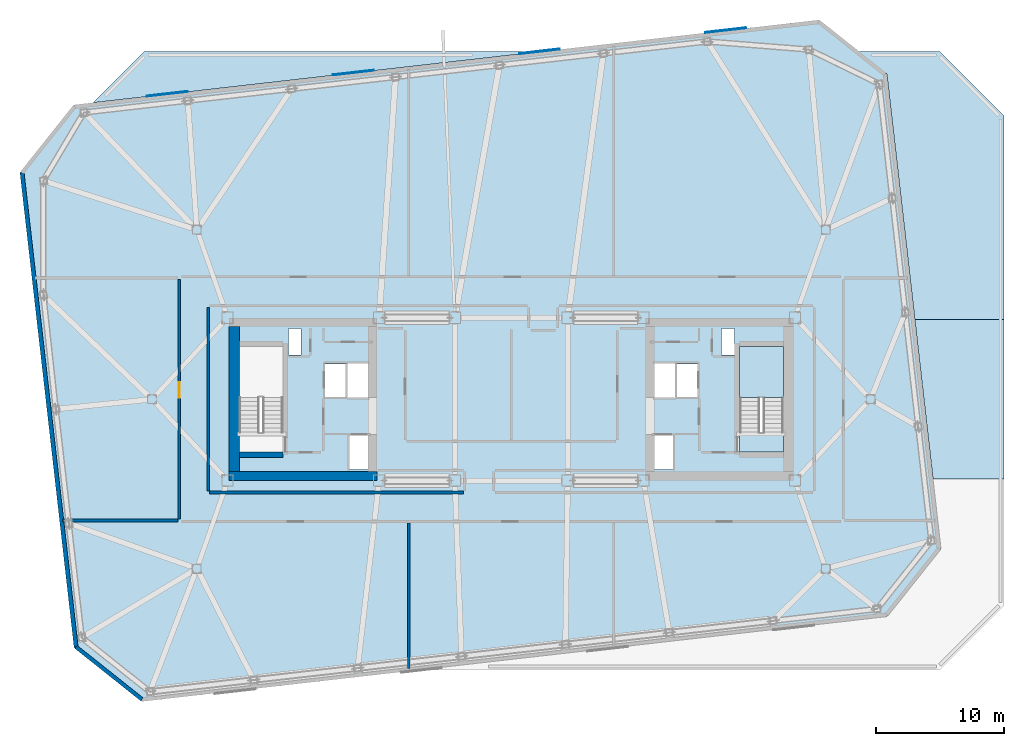
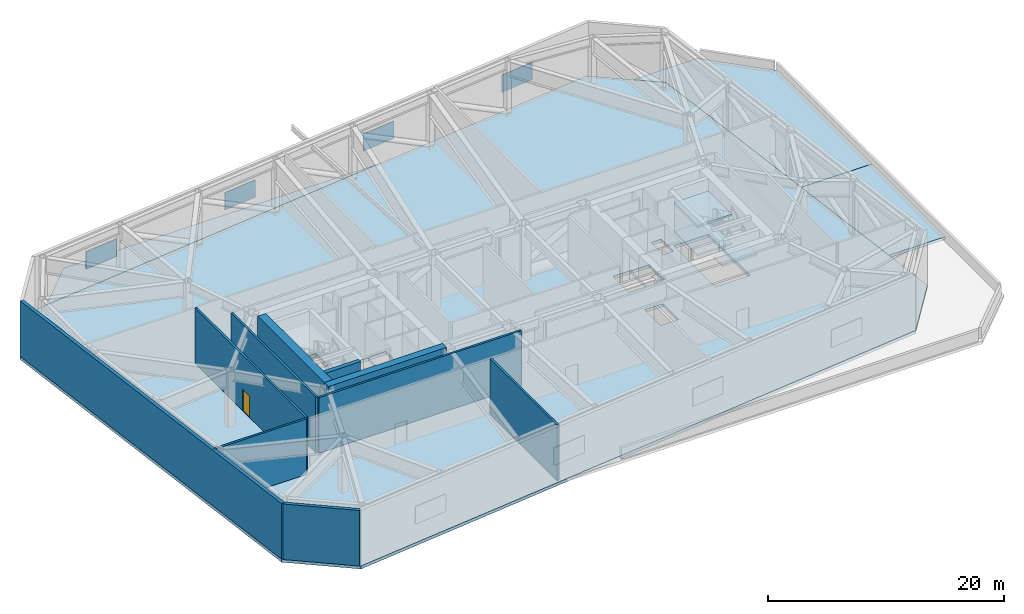
# One storey, part 5 of 13: 10 walls, 7 slabs, 4 plates, 1 door, 1 opening, 1 element without a shape of its own.
"""IFC4 building model written with IfcOpenShell, lengths in metres."""

from ifc_helpers import new_model, si_unit, direction, frame, frame_2d, origin, origin_2d, place, context, subcontext, project, spatial, polyline, rectangle, outline, extrude, material, layer, layer_set, type_object, element, fill, aggregate, save


model = new_model("IFC4")

# Units and contexts
model_context = context("Model", 3, precision=1e-05, world=origin(), true_north=direction((0.0, 1.0)))
body_context = subcontext(model_context, "Body", "Model", "MODEL_VIEW")
ifc_project = project(units=[si_unit("LENGTHUNIT", "METRE"), si_unit("AREAUNIT", "SQUARE_METRE"), si_unit("VOLUMEUNIT", "CUBIC_METRE"), si_unit("PLANEANGLEUNIT", "RADIAN"), si_unit("MASSUNIT", "GRAM", prefix="KILO")], contexts=[model_context])

# Site, building, storey
site_placement = place(None, origin())
site = spatial("IfcSite", under=ifc_project, at=site_placement, CompositionType="ELEMENT")
building_placement = place(site_placement, origin())
building = spatial("IfcBuilding", under=site, at=building_placement, Name="Tavrogorsk Clinical Tower", CompositionType="ELEMENT")
storey_placement = place(building_placement, frame((0.0, 0.0, 208.199951171875)))
storey = spatial("IfcBuildingStorey", under=building, at=storey_placement, Name="L48", CompositionType="ELEMENT", Elevation=208.199951171875)

# Plates
ifc_material_1 = material(Name="Powder-coated aluminium acoustic louvre", Category="aluminium")
ifc_layer_1 = layer(ifc_material_1, 0.074951171875)
ifc_layer_set_1 = layer_set([ifc_layer_1], Name="Powder-coated aluminium acoustic louvre")
plate_type = type_object("IfcPlateType", Name="AcousticPlantLouvre_75", PredefinedType="SHEET", material=ifc_layer_set_1)
for number, where, z_axis, x_axis, name in (
    (1, (16.706787109375, 28.758544921875, 1.97021484375), (0.0, 0.0, 1.0), (-0.993571986827, -0.113202062666, 0.0), "L48 Plant Acoustic Louvre N-1-1"),
    (2, (2.20068359375, 27.105712890625, 1.97021484375), (0.0, 0.0, 1.0), (-0.993571986827, -0.113202062666, 0.0), "L48 Plant Acoustic Louvre N-1-2"),
    (3, (-12.305419921875, 25.452880859375, 1.97021484375), (0.0, 0.0, 1.0), (-0.993571986827, -0.113202062666, 0.0), "L48 Plant Acoustic Louvre N-1-3"),
    (4, (-26.8115234375, 23.80029296875, 1.97021484375), (0.0, 0.0, 1.0), (-0.993571986827, -0.113202062666, 0.0), "L48 Plant Acoustic Louvre N-1-4"),
):
    element("IfcPlate", number, at=place(storey_placement, frame(where, z_axis=z_axis, x_axis=x_axis)), inside=storey, type_object=plate_type, Name=name, PredefinedType="SHEET", context=body_context, shape_type="SweptSolid", body=[
        extrude(rectangle(XDim=3.199951171875, YDim=0.074951171875, at=origin_2d()), origin(), (0.0, 0.0, 1.0), 1.800048828125),
    ])

# Slabs
ifc_material_2 = material(Name="Concrete B60", Category="concrete")
ifc_layer_2 = layer(ifc_material_2, 0.300048828125)
ifc_layer_set_2 = layer_set([ifc_layer_2], Name="Concrete B60")
slab_type_1 = type_object("IfcSlabType", Name="CrownTopRoofSlab_300", PredefinedType="ROOF", material=ifc_layer_set_2)
slab_1_placement = place(storey_placement, frame((0.0, 0.0, -0.300048828125)))
element("IfcSlab", 5, at=slab_1_placement, inside=storey, type_object=slab_type_1, Name="L48 Setback Roof Slab 2", PredefinedType="ROOF", context=body_context, shape_type="SweptSolid", body=[
    extrude(outline(polyline([(38.39990234375, 22.10009765625), (38.39990234375, 6.199951171875), (31.455322265625, 6.199951171875), (29.27587890625, 25.329345703125), (27.0498046875, 27.10009765625), (33.39990234375, 27.10009765625), (38.39990234375, 22.10009765625)])), origin(), (0.0, 0.0, 1.0), 0.300048828125),
])
slab_2_placement = place(storey_placement, frame((0.0, 0.0, -0.300048828125)))
element("IfcSlab", 6, at=slab_2_placement, inside=storey, type_object=slab_type_1, Name="L48 Setback Roof Slab 3", PredefinedType="ROOF", context=body_context, shape_type="SweptSolid", body=[
    extrude(outline(polyline([(2.4150390625, 27.10009765625), (-32.588134765625, 23.11181640625), (-28.60009765625, 27.10009765625), (2.4150390625, 27.10009765625)])), origin(), (0.0, 0.0, 1.0), 0.300048828125),
])
slab_3_placement = place(storey_placement, frame((0.0, 0.0, -0.300048828125)))
element("IfcSlab", 7, at=slab_3_placement, inside=storey, type_object=slab_type_1, Name="L48 Setback Roof Slab 4", PredefinedType="ROOF", context=body_context, shape_type="SweptSolid", body=[
    extrude(outline(polyline([(38.39990234375, -6.199951171875), (32.8681640625, -6.199951171875), (31.455322265625, 6.199951171875), (38.39990234375, 6.199951171875), (38.39990234375, -6.199951171875)])), origin(), (0.0, 0.0, 1.0), 0.300048828125),
])
ifc_material_3 = material(Name="Concrete B60", Category="concrete")
ifc_layer_3 = layer(ifc_material_3, 0.320068359375)
ifc_layer_set_3 = layer_set([ifc_layer_3], Name="Concrete B60")
slab_type_2 = type_object("IfcSlabType", Name="PlantRefugeSlab_320", PredefinedType="FLOOR", material=ifc_layer_set_3)
slab_4_placement = place(storey_placement, frame((0.0, 0.0, -0.320068359375)))
element("IfcSlab", 8, at=slab_4_placement, inside=storey, type_object=slab_type_2, Name="L48 Structural Slab", PredefinedType="FLOOR", context=body_context, shape_type="SweptSolid", body=[
    extrude(outline(polyline([(-28.76318359375, -23.55517578125), (29.26123046875, -16.944091796875), (33.487060546875, -11.631591796875), (29.27587890625, 25.329345703125), (23.96337890625, 29.55517578125), (-34.061279296875, 22.944091796875), (-38.287109375, 17.631591796875), (-34.075927734375, -19.329345703125), (-28.76318359375, -23.55517578125)]), holes=[polyline([(-17.800048828125, -2.8798828125), (-17.800048828125, 4.125), (-21.199951171875, 4.125), (-21.199951171875, -2.8798828125), (-17.800048828125, -2.8798828125)]), polyline([(21.199951171875, -2.8798828125), (21.199951171875, 4.125), (17.800048828125, 4.125), (17.800048828125, -2.8798828125), (21.199951171875, -2.8798828125)]), polyline([(-14.6201171875, 0.169921875), (-12.860107421875, 0.169921875), (-12.860107421875, 2.72998046875), (-14.6201171875, 2.72998046875), (-14.6201171875, 0.169921875)]), polyline([(-12.72998046875, -5.47998046875), (-10.969970703125, -5.47998046875), (-10.969970703125, -2.820068359375), (-12.72998046875, -2.820068359375), (-12.72998046875, -5.47998046875)]), polyline([(-12.840087890625, 0.1201171875), (-11.080078125, 0.1201171875), (-11.080078125, 2.780029296875), (-12.840087890625, 2.780029296875), (-12.840087890625, 0.1201171875)]), polyline([(12.860107421875, 0.169921875), (14.6201171875, 0.169921875), (14.6201171875, 2.72998046875), (12.860107421875, 2.72998046875), (12.860107421875, 0.169921875)]), polyline([(10.969970703125, -5.47998046875), (12.72998046875, -5.47998046875), (12.72998046875, -2.820068359375), (10.969970703125, -2.820068359375), (10.969970703125, -5.47998046875)]), polyline([(11.080078125, 0.1201171875), (12.840087890625, 0.1201171875), (12.840087890625, 2.780029296875), (11.080078125, 2.780029296875), (11.080078125, 0.1201171875)]), polyline([(-17.3798828125, 3.449951171875), (-16.3798828125, 3.449951171875), (-16.3798828125, 5.5), (-17.3798828125, 5.5), (-17.3798828125, 3.449951171875)]), polyline([(16.3798828125, 3.449951171875), (17.3798828125, 3.449951171875), (17.3798828125, 5.5), (16.3798828125, 5.5), (16.3798828125, 3.449951171875)])]), origin(), (0.0, 0.0, 1.0), 0.320068359375),
])

# Stair, slabs
ifc_material_4 = material(Name="Concrete B60", Category="concrete")
stair_type = type_object("IfcStairType", Name="CoreStairAssembly", PredefinedType="HALF_TURN_STAIR", material=ifc_material_4)
stair_placement = place(storey_placement, origin())
stair = element("IfcStair", 9, at=stair_placement, inside=storey, type_object=stair_type, Name="L48 ST-E", PredefinedType="HALF_TURN_STAIR")
ifc_material_5 = material(Name="Concrete B60", Category="concrete")
ifc_layer_4 = layer(ifc_material_5, 0.199951171875)
ifc_layer_set_4 = layer_set([ifc_layer_4], Name="Concrete B60")
slab_type_3 = type_object("IfcSlabType", Name="StairLanding_200", PredefinedType="LANDING", material=ifc_layer_set_4)
slab_5_placement = place(storey_placement, frame((0.0, 0.0, 1.300048828125)))
slab_5 = element("IfcSlab", 10, at=slab_5_placement, type_object=slab_type_3, Name="ST-E landing 1", PredefinedType="LANDING", context=body_context, shape_type="SweptSolid", body=[
    extrude(outline(polyline([(21.199951171875, 0.14501953125), (21.199951171875, 4.125), (17.800048828125, 4.125), (17.800048828125, 0.14501953125), (21.199951171875, 0.14501953125)])), origin(), (0.0, 0.0, 1.0), 0.199951171875),
])
slab_6_placement = place(storey_placement, frame((0.0, 0.0, 2.800048828125)))
slab_6 = element("IfcSlab", 11, at=slab_6_placement, type_object=slab_type_3, Name="ST-E landing 2", PredefinedType="LANDING", context=body_context, shape_type="SweptSolid", body=[
    extrude(outline(polyline([(21.199951171875, -4.125), (21.199951171875, -2.574951171875), (17.800048828125, -2.574951171875), (17.800048828125, -4.125), (21.199951171875, -4.125)])), origin(), (0.0, 0.0, 1.0), 0.199951171875),
])
slab_7_placement = place(storey_placement, frame((0.0, 0.0, 4.300048828125)))
slab_7 = element("IfcSlab", 12, at=slab_7_placement, type_object=slab_type_3, Name="ST-E landing 3", PredefinedType="LANDING", context=body_context, shape_type="SweptSolid", body=[
    extrude(outline(polyline([(21.199951171875, 0.14501953125), (21.199951171875, 4.125), (17.800048828125, 4.125), (17.800048828125, 0.14501953125), (21.199951171875, 0.14501953125)])), origin(), (0.0, 0.0, 1.0), 0.199951171875),
])
aggregate(stair, [slab_5, slab_6, slab_7])

# Wall, opening, door
ifc_material_6 = material(Name="Concrete B60", Category="concrete")
ifc_layer_5 = layer(ifc_material_6, 0.199951171875)
ifc_layer_set_5 = layer_set([ifc_layer_5], Name="Concrete B60")
wall_type_1 = type_object("IfcWallType", Name="CoreFireWall_200", PredefinedType="SOLIDWALL", material=ifc_layer_set_5)
wall_1_placement = place(storey_placement, frame((-25.8798828125, -9.344970703125, 0.0), z_axis=(0.0, 0.0, 1.0), x_axis=(0.0, 1.0, 0.0)))
wall_1 = element("IfcWall", 13, at=wall_1_placement, inside=storey, type_object=wall_type_1, Name="L48 Refuge Corridor Fire Wall 01", PredefinedType="SOLIDWALL", context=body_context, shape_type="SweptSolid", body=[
    extrude(rectangle(XDim=18.68994140625, YDim=0.199951171875, at=frame_2d((9.344970703125, 0.0))), origin(), (0.0, 0.0, 1.0), 5.739990234375),
])
opening_placement = place(wall_1_placement, frame((9.449951171875, 0.0, 0.0)))
opening = element("IfcOpeningElement", 14, at=opening_placement, cuts=wall_1, Name="Opening FD-01", PredefinedType="OPENING", context=body_context, shape_type="SweptSolid", body=[
    extrude(rectangle(XDim=1.199951171875, YDim=2.199951171875, at=frame_2d((0.60009765625, 1.10009765625))), frame((0.0, 0.10986328125, 0.0), z_axis=(0.0, -1.0, 0.0), x_axis=(1.0, 0.0, 0.0)), (0.0, 0.0, 1.0), 0.219970703125),
])
ifc_material_7 = material(Name="Galvanised steel fire-rated door assembly", Category="steel")
door_type = type_object("IfcDoorType", Name="FireDoor_FD01_1200", OperationType="NOTDEFINED", PredefinedType="DOOR", material=ifc_material_7)
door_placement = place(opening_placement, origin())
door = element("IfcDoor", 15, at=door_placement, inside=storey, type_object=door_type, Name="L48 Smoke Extract & Damper Plenum West Fire Door", OperationType="SINGLE_SWING_LEFT", OverallHeight=2.199951171875, OverallWidth=1.199951171875, PredefinedType="DOOR", context=body_context, shape_type="SweptSolid", body=[
    extrude(rectangle(XDim=1.199951171875, YDim=2.199951171875, at=frame_2d((0.60009765625, 1.10009765625))), frame((0.0, 0.02490234375, 0.0), z_axis=(0.0, -1.0, 0.0), x_axis=(1.0, 0.0, 0.0)), (0.0, 0.0, 1.0), 0.050048828125),
])
fill(opening, door)

# Walls
wall_2_placement = place(storey_placement, frame((-23.6201171875, 7.1650390625, 0.0), z_axis=(0.0, 0.0, 1.0), x_axis=(0.0, -1.0, 0.0)))
element("IfcWall", 16, at=wall_2_placement, inside=storey, type_object=wall_type_1, Name="L48 Refuge Corridor Fire Wall 21", PredefinedType="SOLIDWALL", context=body_context, shape_type="SweptSolid", body=[
    extrude(rectangle(XDim=14.330078125, YDim=0.199951171875, at=frame_2d((7.1650390625, 0.0))), origin(), (0.0, 0.0, 1.0), 5.739990234375),
])
wall_3_placement = place(storey_placement, frame((-23.514892578125, -7.27001953125, 0.0), z_axis=(0.0, 0.0, 1.0), x_axis=(1.0, 0.0, 0.0)))
element("IfcWall", 17, at=wall_3_placement, inside=storey, type_object=wall_type_1, Name="L48 Refuge Corridor Fire Wall 22", PredefinedType="SOLIDWALL", context=body_context, shape_type="SweptSolid", body=[
    extrude(rectangle(XDim=19.77978515625, YDim=0.199951171875, at=frame_2d((9.889892578125, 0.0))), origin(), (0.0, 0.0, 1.0), 5.739990234375),
])
wall_4_placement = place(storey_placement, frame((-34.97998046875, -9.449951171875, 0.0), z_axis=(0.0, 0.0, 1.0), x_axis=(1.0, 0.0, 0.0)))
element("IfcWall", 18, at=wall_4_placement, inside=storey, type_object=wall_type_1, Name="L48 Refuge & Plant Fire Wall 1", PredefinedType="SOLIDWALL", context=body_context, shape_type="SweptSolid", body=[
    extrude(rectangle(XDim=8.994873046875, YDim=0.199951171875, at=frame_2d((4.49755859375, 0.0))), origin(), (0.0, 0.0, 1.0), 5.739990234375),
])
wall_5_placement = place(storey_placement, frame((-8.0, -20.968017578125, 0.0), z_axis=(0.0, 0.0, 1.0), x_axis=(0.0, 1.0, 0.0)))
element("IfcWall", 19, at=wall_5_placement, inside=storey, type_object=wall_type_1, Name="L48 Refuge & Plant Fire Wall 5", PredefinedType="SOLIDWALL", context=body_context, shape_type="SweptSolid", body=[
    extrude(rectangle(XDim=11.3330078125, YDim=0.199951171875, at=frame_2d((5.66650390625, 0.0))), origin(), (0.0, 0.0, 1.0), 5.739990234375),
])
ifc_material_8 = material(Name="Precast concrete B45 acoustic plenum wall", Category="concrete")
ifc_layer_6 = layer(ifc_material_8, 0.320068359375)
ifc_layer_set_6 = layer_set([ifc_layer_6], Name="Precast concrete B45 acoustic plenum wall")
wall_type_2 = type_object("IfcWallType", Name="PlantLouvreWall_320", PredefinedType="STANDARD", material=ifc_layer_set_6)
wall_6_placement = place(storey_placement, frame((-38.1279296875, 17.649658203125, 0.0), z_axis=(0.0, 0.0, 1.0), x_axis=(0.113197126198, -0.993572549249, 0.0)))
element("IfcWall", 20, at=wall_6_placement, inside=storey, type_object=wall_type_2, Name="L48 W Pleated Limestone Wing Wall", PredefinedType="STANDARD", context=body_context, shape_type="SweptSolid", body=[
    extrude(rectangle(XDim=37.199951171875, YDim=0.320068359375, at=frame_2d((18.60009765625, 0.0))), origin(), (0.0, 0.0, 1.0), 5.739990234375),
])
ifc_material_9 = material(Name="Concrete B80", Category="concrete")
ifc_layer_7 = layer(ifc_material_9, 0.39990234375)
ifc_layer_set_7 = layer_set([ifc_layer_7], Name="Concrete B80")
wall_type_3 = type_object("IfcWallType", Name="ShearWall_400", PredefinedType="SHEAR", material=ifc_layer_set_7)
wall_7_placement = place(storey_placement, frame((-21.199951171875, -4.324951171875, 0.0), z_axis=(0.0, 0.0, 1.0), x_axis=(1.0, 0.0, 0.0)))
element("IfcWall", 21, at=wall_7_placement, inside=storey, type_object=wall_type_3, Name="L48 Core West Stair Shaft South Shear Wall", PredefinedType="SHEAR", context=body_context, shape_type="SweptSolid", body=[
    extrude(rectangle(XDim=3.39990234375, YDim=0.39990234375, at=frame_2d((1.699951171875, 0.0))), origin(), (0.0, 0.0, 1.0), 5.739990234375),
])
ifc_material_10 = material(Name="Concrete B80", Category="concrete")
ifc_layer_8 = layer(ifc_material_10, 0.699951171875)
ifc_layer_set_8 = layer_set([ifc_layer_8], Name="Concrete B80")
wall_type_4 = type_object("IfcWallType", Name="ShearWall_700", PredefinedType="SHEAR", material=ifc_layer_set_8)
wall_8_placement = place(storey_placement, frame((-22.0, -6.0, 0.0), z_axis=(0.0, 0.0, 1.0), x_axis=(1.0, 0.0, 0.0)))
element("IfcWall", 22, at=wall_8_placement, inside=storey, type_object=wall_type_4, Name="L48 Core West South Shear Wall", PredefinedType="SHEAR", context=body_context, shape_type="SweptSolid", body=[
    extrude(rectangle(XDim=11.550048828125, YDim=0.699951171875, at=frame_2d((5.77490234375, 0.0))), origin(), (0.0, 0.0, 1.0), 5.739990234375),
])
ifc_material_11 = material(Name="Concrete B80", Category="concrete")
ifc_layer_9 = layer(ifc_material_11, 0.800048828125)
ifc_layer_set_9 = layer_set([ifc_layer_9], Name="Concrete B80")
wall_type_5 = type_object("IfcWallType", Name="ShearWall_800", PredefinedType="SHEAR", material=ifc_layer_set_9)
wall_9_placement = place(storey_placement, frame((-21.60009765625, -5.64990234375, 0.0), z_axis=(0.0, 0.0, 1.0), x_axis=(0.0, 1.0, 0.0)))
element("IfcWall", 23, at=wall_9_placement, inside=storey, type_object=wall_type_5, Name="L48 Core West End Shear Wall", PredefinedType="SHEAR", context=body_context, shape_type="SweptSolid", body=[
    extrude(rectangle(XDim=11.2998046875, YDim=0.800048828125, at=frame_2d((5.64990234375, 0.0))), origin(), (0.0, 0.0, 1.0), 5.739990234375),
])
ifc_material_12 = material(Name="Precast concrete B45 with mineral wool", Category="concrete")
ifc_layer_10 = layer(ifc_material_12, 0.300048828125)
ifc_layer_set_10 = layer_set([ifc_layer_10], Name="Precast concrete B45 with mineral wool")
wall_type_6 = type_object("IfcWallType", Name="SpandrelBackWall_300", PredefinedType="STANDARD", material=ifc_layer_set_10)
wall_10_placement = place(storey_placement, frame((-33.9169921875, -19.311279296875, 0.0), z_axis=(0.0, 0.0, 1.0), x_axis=(0.78260805729, -0.622514761805, 0.0)))
element("IfcWall", 24, at=wall_10_placement, inside=storey, type_object=wall_type_6, Name="L48 Chamfered Corner Wall 4", PredefinedType="STANDARD", context=body_context, shape_type="SweptSolid", body=[
    extrude(rectangle(XDim=6.56201171875, YDim=0.300048828125, at=frame_2d((3.281005859375, 0.0))), origin(), (0.0, 0.0, 1.0), 5.739990234375),
])

save(model, "model.ifc")
